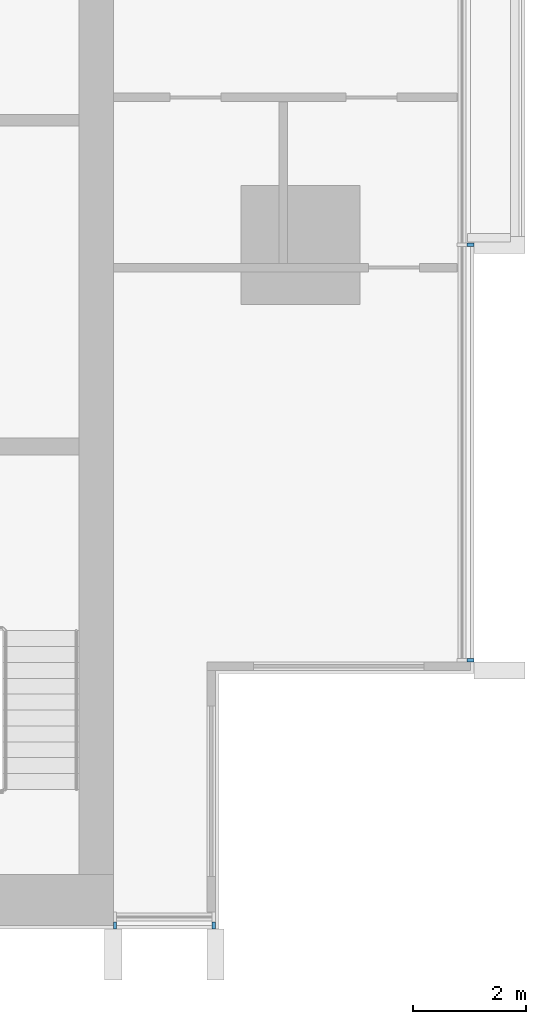
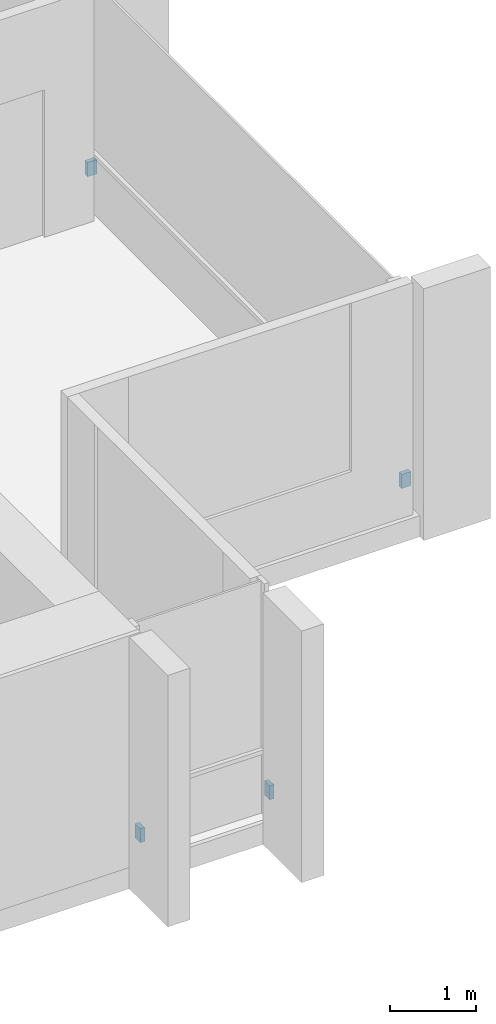
# One storey, part 13 of 16: 4 discrete accessories.
"""IFC4 building model written with IfcOpenShell, lengths in metres."""

from ifc_helpers import new_model, si_unit, direction, frame, origin, origin_2d, place, context, subcontext, project, spatial, rectangle, extrude, material, type_object, element, save


model = new_model("IFC4")

# Units and contexts
model_context = context("Model", 3, precision=1e-05, world=origin(), true_north=direction((0.0, 1.0)))
body_context = subcontext(model_context, "Body", "Model", "MODEL_VIEW")
ifc_project = project(units=[si_unit("LENGTHUNIT", "METRE"), si_unit("AREAUNIT", "SQUARE_METRE"), si_unit("VOLUMEUNIT", "CUBIC_METRE"), si_unit("PLANEANGLEUNIT", "RADIAN"), si_unit("MASSUNIT", "GRAM", prefix="KILO")], contexts=[model_context])

# Site, building, storey
site_placement = place(None, origin())
site = spatial("IfcSite", under=ifc_project, at=site_placement, CompositionType="ELEMENT")
building_placement = place(site_placement, origin())
building = spatial("IfcBuilding", under=site, at=building_placement, Name="Finial Court Residences", CompositionType="ELEMENT")
storey_placement = place(building_placement, frame((0.0, 0.0, 219.5)))
storey = spatial("IfcBuildingStorey", under=building, at=storey_placement, Name="L55", CompositionType="ELEMENT", Elevation=219.5)

# Discrete accessories
ifc_material = material(Name="Stainless steel 316", Category="steel")
discrete_accessory_type = type_object("IfcDiscreteAccessoryType", Name="Fin bracket, stainless steel 60 x 122 x 200", PredefinedType="BRACKET", material=ifc_material)
for number, where, z_axis, x_axis, name in (
    (1, (19.498779296875, -20.820068359375, 0.2998046875), (0.0, 0.0, 1.0), (1.0, 0.0, 0.0), "E-L55-FIN-E7-BRK"),
    (2, (19.498779296875, -13.5, 0.2998046875), (0.0, 0.0, 1.0), (1.0, 0.0, 0.0), "E-L55-FIN-E8-BRK"),
):
    element("IfcDiscreteAccessory", number, at=place(storey_placement, frame(where, z_axis=z_axis, x_axis=x_axis)), inside=storey, type_object=discrete_accessory_type, Name=name, PredefinedType="BRACKET", context=body_context, shape_type="SweptSolid", body=[
        extrude(rectangle(XDim=0.12255859375, YDim=0.06005859375, at=origin_2d()), origin(), (0.0, 0.0, 1.0), 0.199951171875),
    ])
for number, where, z_axis, x_axis, name in (
    (3, (13.22998046875, -25.498779296875, 0.2998046875), (0.0, 0.0, 1.0), (1.0, 0.0, 0.0), "E-L55-FIN-S19-BRK"),
    (4, (14.969970703125, -25.498779296875, 0.2998046875), (0.0, 0.0, 1.0), (1.0, 0.0, 0.0), "E-L55-FIN-S20-BRK"),
):
    element("IfcDiscreteAccessory", number, at=place(storey_placement, frame(where, z_axis=z_axis, x_axis=x_axis)), inside=storey, type_object=discrete_accessory_type, Name=name, PredefinedType="BRACKET", context=body_context, shape_type="SweptSolid", body=[
        extrude(rectangle(XDim=0.06005859375, YDim=0.12255859375, at=origin_2d()), origin(), (0.0, 0.0, 1.0), 0.199951171875),
    ])

save(model, "model.ifc")
